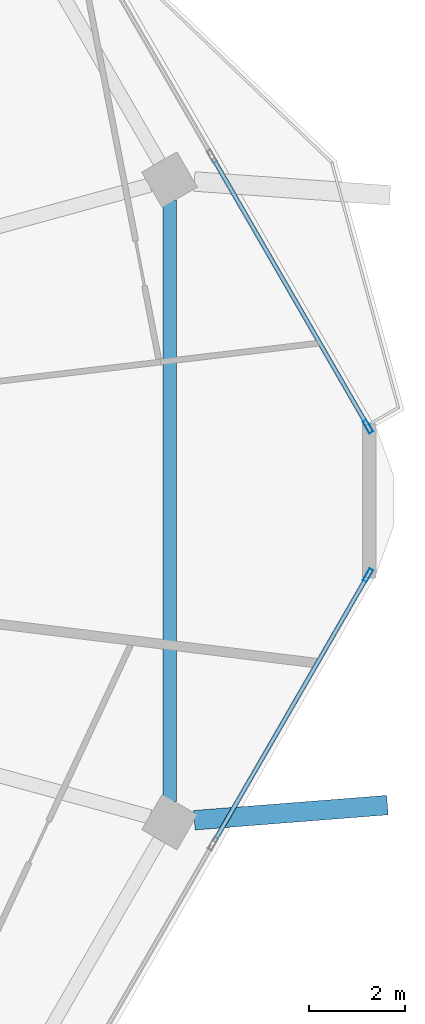
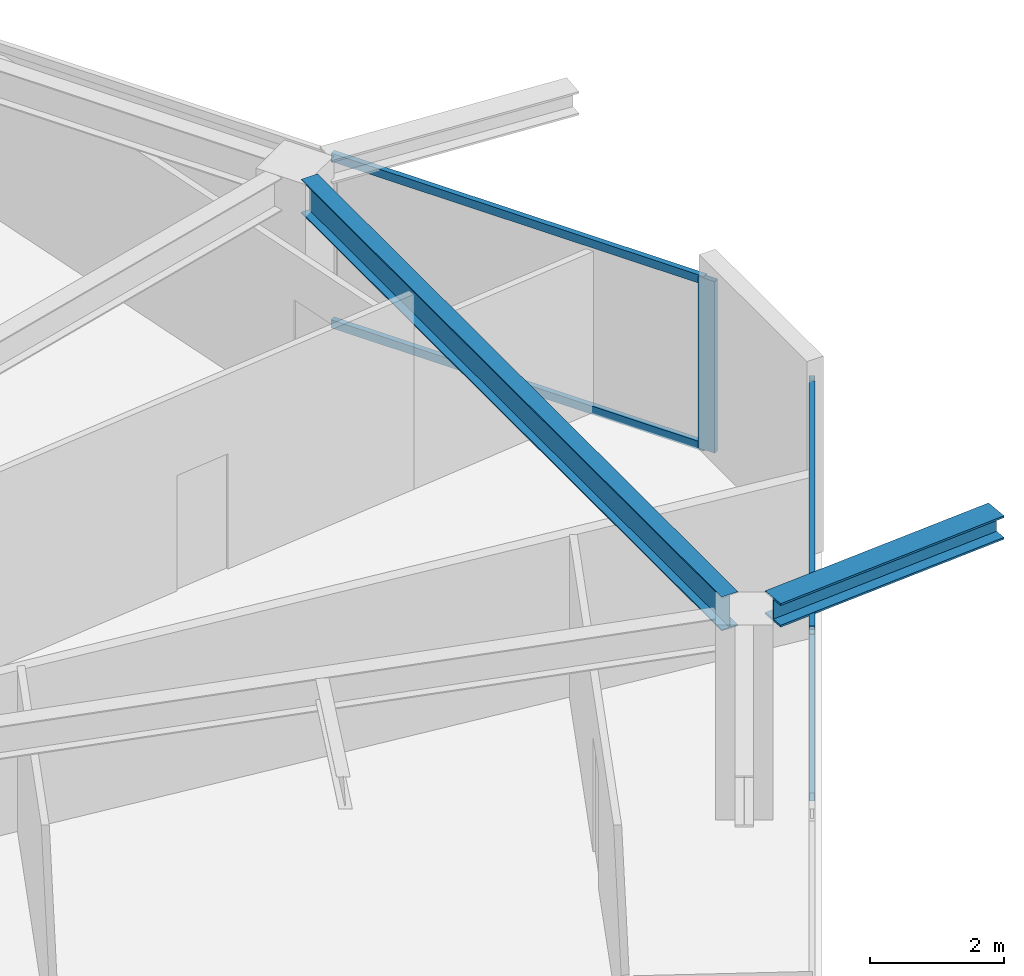
# One storey, part 10 of 26: 6 members, 2 beams, 2 elements without a shape of their own.
"""IFC4 building model written with IfcOpenShell, lengths in metres."""

from ifc_helpers import new_model, si_unit, direction, frame, origin, origin_2d, place, context, subcontext, project, spatial, hollow_rectangle, i_section, extrude, material, material_profile, profile_set, type_object, element, aggregate, save


model = new_model("IFC4")

# Units and contexts
model_context = context("Model", 3, precision=1e-05, world=origin(), true_north=direction((0.0, 1.0)))
body_context = subcontext(model_context, "Body", "Model", "MODEL_VIEW")
ifc_project = project(units=[si_unit("LENGTHUNIT", "METRE"), si_unit("AREAUNIT", "SQUARE_METRE"), si_unit("VOLUMEUNIT", "CUBIC_METRE"), si_unit("PLANEANGLEUNIT", "RADIAN"), si_unit("MASSUNIT", "GRAM", prefix="KILO")], contexts=[model_context])

# Site, building, storey
site_placement = place(None, origin())
site = spatial("IfcSite", under=ifc_project, at=site_placement, CompositionType="ELEMENT")
building_placement = place(site_placement, origin())
building = spatial("IfcBuilding", under=site, at=building_placement, Name="Zuhravey Tower", CompositionType="ELEMENT")
storey_placement = place(building_placement, frame((0.0, 0.0, 273.0)))
storey = spatial("IfcBuildingStorey", under=building, at=storey_placement, Name="L69", CompositionType="ELEMENT", Elevation=273.0)

# Curtain wall, member
ifc_material_1 = material(Name="Thermally broken anodised aluminium", Category="aluminium")
curtain_wall_type = type_object("IfcCurtainWallType", Name="Zone 3-4 High-Rise Curtain Wall CW4", PredefinedType="NOTDEFINED", material=ifc_material_1)
curtain_wall_1_placement = place(storey_placement, origin())
curtain_wall_1 = element("IfcCurtainWall", 1, at=curtain_wall_1_placement, inside=storey, type_object=curtain_wall_type, Name="L69 CW4 CW-L69-F6-1", PredefinedType="NOTDEFINED")
ifc_material_2 = material(Name="Anodised aluminium", Category="aluminium")
ifc_material_profile_1 = material_profile(ifc_material_2, hollow_rectangle(XDim=0.090087890625, YDim=0.284912109375, WallThickness=0.0048828125, at=origin_2d()), Name="ALU-RHS-90x285x5")
ifc_profile_set_1 = profile_set([ifc_material_profile_1], Name="Anodised aluminium")
member_type_1 = type_object("IfcMemberType", Name="Curtain-Wall Mullion 90x180", PredefinedType="MULLION", material=ifc_profile_set_1)
member_1_placement = place(storey_placement, frame((64.62255859375, 30.448486328125, 0.0), z_axis=(0.0, 0.0, 1.0), x_axis=(0.866024851021, -0.500000957414, 0.0)))
member_1 = element("IfcMember", 2, at=member_1_placement, type_object=member_type_1, Name="CW4 mullion 1", PredefinedType="MULLION", context=body_context, shape_type="SweptSolid", body=[
    extrude(hollow_rectangle(XDim=0.090087890625, YDim=0.284912109375, WallThickness=0.0048828125, at=origin_2d()), origin(), (0.0, 0.0, 1.0), 3.1220703125),
])

curtain_wall_2_placement = place(storey_placement, origin())
curtain_wall_2 = element("IfcCurtainWall", 3, at=curtain_wall_2_placement, inside=storey, type_object=curtain_wall_type, Name="L69 CW4 CW-L69-F1-2", PredefinedType="NOTDEFINED")
member_2_placement = place(storey_placement, frame((64.62255859375, 33.551513671875, 0.0), z_axis=(0.0, 0.0, 1.0), x_axis=(0.866025529954, 0.499999781467, 0.0)))
member_2 = element("IfcMember", 4, at=member_2_placement, type_object=member_type_1, Name="CW4 mullion 4", PredefinedType="MULLION", context=body_context, shape_type="SweptSolid", body=[
    extrude(hollow_rectangle(XDim=0.090087890625, YDim=0.284912109375, WallThickness=0.0048828125, at=origin_2d()), origin(), (0.0, 0.0, 1.0), 3.1220703125),
])

# Member
ifc_material_profile_2 = material_profile(ifc_material_2, hollow_rectangle(XDim=0.090087890625, YDim=0.14990234375, WallThickness=0.0048828125, at=origin_2d()), Name="ALU-RHS-90x150x5")
ifc_profile_set_2 = profile_set([ifc_material_profile_2], Name="Anodised aluminium")
member_type_2 = type_object("IfcMemberType", Name="Curtain-Wall Transom 90x150", PredefinedType="USERDEFINED", material=ifc_profile_set_2)
member_3_placement = place(storey_placement, frame((64.60009765625, 30.40966796875, 0.044921875), z_axis=(-0.500008810174, -0.866020317169, 0.0), x_axis=(0.866020317169, -0.500008810174, 0.0)))
member_3 = element("IfcMember", 5, at=member_3_placement, type_object=member_type_2, Name="CW4 transom 1.1", ObjectType="TRANSOM", PredefinedType="USERDEFINED", context=body_context, shape_type="SweptSolid", body=[
    extrude(hollow_rectangle(XDim=0.090087890625, YDim=0.14990234375, WallThickness=0.0048828125, at=origin_2d()), origin(), (0.0, 0.0, 1.0), 6.37158203125),
])

member_4_placement = place(storey_placement, frame((64.60009765625, 30.40966796875, 3.076904296875), z_axis=(-0.500008810174, -0.866020317169, 0.0), x_axis=(0.866020317169, -0.500008810174, 0.0)))
member_4 = element("IfcMember", 6, at=member_4_placement, type_object=member_type_2, Name="CW4 transom 1.2", ObjectType="TRANSOM", PredefinedType="USERDEFINED", context=body_context, shape_type="SweptSolid", body=[
    extrude(hollow_rectangle(XDim=0.090087890625, YDim=0.14990234375, WallThickness=0.0048828125, at=origin_2d()), origin(), (0.0, 0.0, 1.0), 6.37158203125),
])

aggregate(curtain_wall_1, [member_1, member_3, member_4])

member_5_placement = place(storey_placement, frame((61.391845703125, 39.147216796875, 0.044921875), z_axis=(0.499998017366, -0.866026548456, 0.0), x_axis=(0.866026548456, 0.499998017366, 0.0)))
member_5 = element("IfcMember", 7, at=member_5_placement, type_object=member_type_2, Name="CW4 transom 3.1", ObjectType="TRANSOM", PredefinedType="USERDEFINED", context=body_context, shape_type="SweptSolid", body=[
    extrude(hollow_rectangle(XDim=0.090087890625, YDim=0.14990234375, WallThickness=0.0048828125, at=origin_2d()), origin(), (0.0, 0.0, 1.0), 6.41650390625),
])

member_6_placement = place(storey_placement, frame((61.391845703125, 39.147216796875, 3.076904296875), z_axis=(0.499998017366, -0.866026548456, 0.0), x_axis=(0.866026548456, 0.499998017366, 0.0)))
member_6 = element("IfcMember", 8, at=member_6_placement, type_object=member_type_2, Name="CW4 transom 3.2", ObjectType="TRANSOM", PredefinedType="USERDEFINED", context=body_context, shape_type="SweptSolid", body=[
    extrude(hollow_rectangle(XDim=0.090087890625, YDim=0.14990234375, WallThickness=0.0048828125, at=origin_2d()), origin(), (0.0, 0.0, 1.0), 6.41650390625),
])

aggregate(curtain_wall_2, [member_2, member_5, member_6])

# Beams
ifc_material_3 = material(Name="Steel SM460", Category="steel")
ifc_material_profile_3 = material_profile(ifc_material_3, i_section(OverallWidth=0.406982421875, OverallDepth=0.427978515625, WebThickness=0.02001953125, FlangeThickness=0.034912109375, at=origin_2d()), Name="H-428x407x20x35")
ifc_profile_set_3 = profile_set([ifc_material_profile_3], Name="Steel SM460")
beam_type_1 = type_object("IfcBeamType", Name="Exoskeleton Node Tie Beam H428x407", PredefinedType="BEAM", material=ifc_profile_set_3)
beam_1_placement = place(storey_placement, frame((61.00244140625, 25.341552734375, 3.3359375), z_axis=(0.996959133272, 0.077926161105, 0.0), x_axis=(-0.077926161105, 0.996959133272, 0.0)))
element("IfcBeam", 9, at=beam_1_placement, inside=storey, type_object=beam_type_1, Name="L69 Exoskeleton Node Tie NT1-12", PredefinedType="BEAM", context=body_context, shape_type="SweptSolid", body=[
    extrude(i_section(OverallWidth=0.406982421875, OverallDepth=0.427978515625, WebThickness=0.02001953125, FlangeThickness=0.034912109375, at=origin_2d()), origin(), (0.0, 0.0, 1.0), 4.038330078125),
])
ifc_material_4 = material(Name="Steel SM355", Category="steel")
ifc_material_profile_4 = material_profile(ifc_material_4, i_section(OverallWidth=0.280029296875, OverallDepth=0.6201171875, WebThickness=0.011962890625, FlangeThickness=0.02001953125, at=origin_2d()), Name="H-620x280x12x20")
ifc_profile_set_4 = profile_set([ifc_material_profile_4], Name="Steel SM355")
beam_type_2 = type_object("IfcBeamType", Name="Perimeter Ring Beam H620x280", PredefinedType="BEAM", material=ifc_profile_set_4)
beam_2_placement = place(storey_placement, frame((60.484619140625, 25.72900390625, 3.239990234375), z_axis=(0.0, 1.0, 0.0), x_axis=(-1.0, 0.0, 0.0)))
element("IfcBeam", 10, at=beam_2_placement, inside=storey, type_object=beam_type_2, Name="L69 PB3 BM-L69-PB-12", PredefinedType="BEAM", context=body_context, shape_type="SweptSolid", body=[
    extrude(i_section(OverallWidth=0.280029296875, OverallDepth=0.6201171875, WebThickness=0.011962890625, FlangeThickness=0.02001953125, at=origin_2d()), origin(), (0.0, 0.0, 1.0), 12.5419921875),
])

save(model, "model.ifc")
